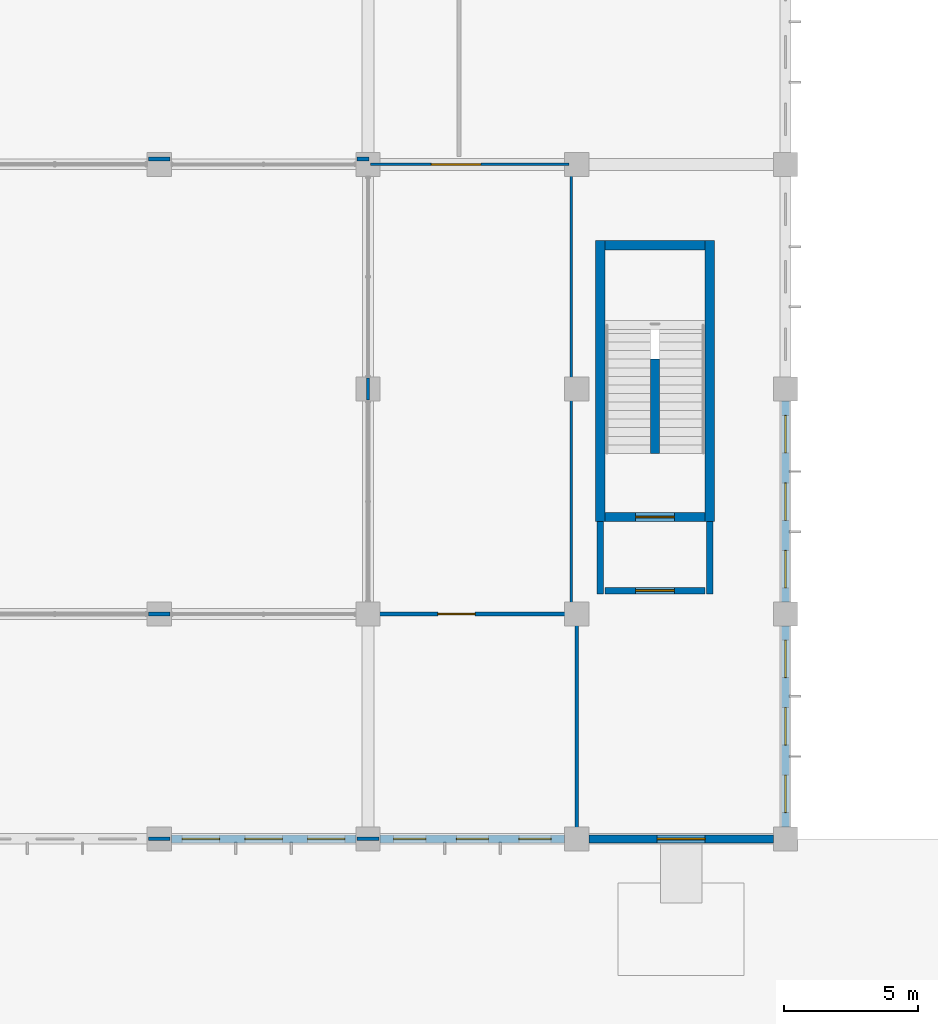
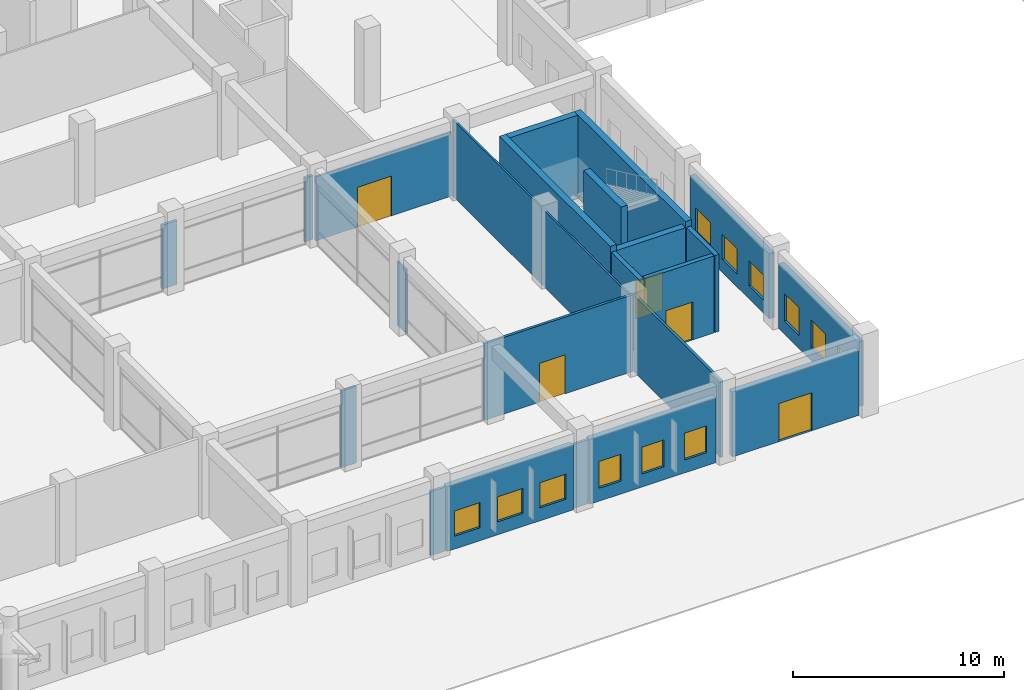
# One storey, part 56 of 74: 23 walls, 12 windows, 5 doors, 17 openings.
"""IFC4 building model written with IfcOpenShell, lengths in metres."""

from ifc_helpers import new_model, si_unit, direction, frame, frame_2d, origin, place, context, subcontext, project, spatial, rectangle, extrude, material, layer, layer_set, type_object, element, fill, save


model = new_model("IFC4")

# Units and contexts
model_context = context("Model", 3, precision=1e-05, world=origin(), true_north=direction((0.0, 1.0)))
body_context = subcontext(model_context, "Body", "Model", "MODEL_VIEW")
ifc_project = project(units=[si_unit("LENGTHUNIT", "METRE"), si_unit("AREAUNIT", "SQUARE_METRE"), si_unit("VOLUMEUNIT", "CUBIC_METRE"), si_unit("PLANEANGLEUNIT", "RADIAN"), si_unit("MASSUNIT", "GRAM", prefix="KILO"), si_unit("THERMODYNAMICTEMPERATUREUNIT", "KELVIN"), si_unit("POWERUNIT", "WATT")], contexts=[model_context])

# Site, building, storey
site_placement = place(None, origin())
site = spatial("IfcSite", under=ifc_project, at=site_placement, CompositionType="ELEMENT")
building_placement = place(site_placement, origin())
building = spatial("IfcBuilding", under=site, at=building_placement, Name="Srebrne Nadtorze General Hospital", CompositionType="ELEMENT")
storey_placement = place(building_placement, origin())
storey = spatial("IfcBuildingStorey", under=building, at=storey_placement, Name="L00", CompositionType="ELEMENT", Elevation=0.0)

# Wall
ifc_material_1 = material(Name="Gypsum Healthcare Partition")
ifc_layer_1 = layer(ifc_material_1, 0.139892578125)
ifc_layer_set_1 = layer_set([ifc_layer_1], Name="Gypsum Healthcare Partition")
wall_type_1 = type_object("IfcWallType", Name="Clinical partition 140", PredefinedType="PARTITIONING", material=ifc_layer_set_1)
wall_1_placement = place(storey_placement, frame((124.389892578125, 8.39990234375, 0.0), z_axis=(0.0, 0.0, 1.0), x_axis=(1.0, 0.0, 0.0)))
element("IfcWall", 1, at=wall_1_placement, inside=storey, type_object=wall_type_1, Name="Outpatient Internal Medicine Clinic wall WL-INT-L00-1363", PredefinedType="PARTITIONING", context=body_context, shape_type="SweptSolid", body=[
    extrude(rectangle(XDim=0.820068359375, YDim=0.139892578125, at=frame_2d((0.41015625, 0.0))), origin(), (0.0, 0.0, 1.0), 4.429931640625),
])

# Wall, opening, door
wall_2_placement = place(storey_placement, frame((132.18994140625, 8.39990234375, 0.0), z_axis=(0.0, 0.0, 1.0), x_axis=(1.0, 0.0, 0.0)))
wall_2 = element("IfcWall", 2, at=wall_2_placement, inside=storey, type_object=wall_type_1, Name="Outpatient Internal Medicine Clinic wall WL-INT-L00-1364", PredefinedType="PARTITIONING", context=body_context, shape_type="SweptSolid", body=[
    extrude(rectangle(XDim=8.125, YDim=0.139892578125, at=frame_2d((4.0625, 0.0))), origin(), (0.0, 0.0, 1.0), 4.429931640625),
])
opening_1_placement = place(wall_2_placement, frame((3.0166015625, 0.0, 0.0)))
opening_1 = element("IfcOpeningElement", 3, at=opening_1_placement, cuts=wall_2, Name="Opening D-L00-0206", PredefinedType="OPENING", context=body_context, shape_type="SweptSolid", body=[
    extrude(rectangle(XDim=1.39990234375, YDim=2.25, at=frame_2d((0.699951171875, 1.125))), frame((0.0, 0.08203125, 0.0), z_axis=(0.0, -1.0, 0.0), x_axis=(1.0, 0.0, 0.0)), (0.0, 0.0, 1.0), 0.163818359375),
])
ifc_material_2 = material(Name="Anodised Aluminium", Category="aluminium")
door_type_1 = type_object("IfcDoorType", Name="Single leaf door 1400x2250", OperationType="NOTDEFINED", PredefinedType="DOOR", material=ifc_material_2)
door_1_placement = place(opening_1_placement, frame((1.39990234375, 0.0, 0.0), z_axis=(0.0, 0.0, 1.0), x_axis=(-1.0, 0.0, 0.0)))
door_1 = element("IfcDoor", 4, at=door_1_placement, inside=storey, type_object=door_type_1, Name="Outpatient Internal Medicine Clinic door D-L00-0206", OperationType="SINGLE_SWING_LEFT", OverallHeight=2.25, OverallWidth=1.39990234375, PredefinedType="DOOR", context=body_context, shape_type="SweptSolid", body=[
    extrude(rectangle(XDim=1.39990234375, YDim=2.25, at=frame_2d((0.699951171875, 1.125))), frame((0.0, 0.02490234375, 0.0), z_axis=(0.0, -1.0, 0.0), x_axis=(1.0, 0.0, 0.0)), (0.0, 0.0, 1.0), 0.050048828125),
])
fill(opening_1, door_1)

# Walls
for number, where, z_axis, x_axis, name in (
    (5, (124.389892578125, 0.0, 0.0), (0.0, 0.0, 1.0), (1.0, 0.0, 0.0), "Outpatient Internal Medicine Clinic wall WL-INT-L00-1365"),
    (6, (132.18994140625, 0.0, 0.0), (0.0, 0.0, 1.0), (1.0, 0.0, 0.0), "Outpatient Internal Medicine Clinic wall WL-INT-L00-1366"),
):
    element("IfcWall", number, at=place(storey_placement, frame(where, z_axis=z_axis, x_axis=x_axis)), inside=storey, type_object=wall_type_1, Name=name, PredefinedType="PARTITIONING", context=body_context, shape_type="SweptSolid", body=[
        extrude(rectangle(XDim=0.820068359375, YDim=0.139892578125, at=frame_2d((0.41015625, 0.0))), origin(), (0.0, 0.0, 1.0), 3.699951171875),
    ])
wall_3_placement = place(storey_placement, frame((140.39990234375, 0.0849609375, 0.0), z_axis=(0.0, 0.0, 1.0), x_axis=(0.0, 1.0, 0.0)))
element("IfcWall", 7, at=wall_3_placement, inside=storey, type_object=wall_type_1, Name="Outpatient Internal Medicine Clinic wall WL-INT-L00-1367", PredefinedType="PARTITIONING", context=body_context, shape_type="SweptSolid", body=[
    extrude(rectangle(XDim=8.22998046875, YDim=0.139892578125, at=frame_2d((4.114990234375, 0.0))), origin(), (0.0, 0.0, 1.0), 4.429931640625),
])
wall_4_placement = place(storey_placement, frame((124.389892578125, 25.39990234375, 0.0), z_axis=(0.0, 0.0, 1.0), x_axis=(1.0, 0.0, 0.0)))
element("IfcWall", 8, at=wall_4_placement, inside=storey, type_object=wall_type_1, Name="Outpatient Pre-Admission Assessment Clinic wall WL-INT-L00-1386", PredefinedType="PARTITIONING", context=body_context, shape_type="SweptSolid", body=[
    extrude(rectangle(XDim=0.820068359375, YDim=0.139892578125, at=frame_2d((0.41015625, 0.0))), origin(), (0.0, 0.0, 1.0), 3.699951171875),
])
wall_5_placement = place(storey_placement, frame((132.18994140625, 25.39990234375, 0.0), z_axis=(0.0, 0.0, 1.0), x_axis=(1.0, 0.0, 0.0)))
element("IfcWall", 9, at=wall_5_placement, inside=storey, type_object=wall_type_1, Name="Outpatient Pre-Admission Assessment Clinic wall WL-INT-L00-1387", PredefinedType="PARTITIONING", context=body_context, shape_type="SweptSolid", body=[
    extrude(rectangle(XDim=0.455078125, YDim=0.139892578125, at=frame_2d((0.2275390625, 0.0))), origin(), (0.0, 0.0, 1.0), 3.699951171875),
])
ifc_material_3 = material(Name="Gypsum Healthcare Partition")
ifc_layer_2 = layer(ifc_material_3, 0.239990234375)
ifc_layer_set_2 = layer_set([ifc_layer_2], Name="Gypsum Healthcare Partition")
wall_type_2 = type_object("IfcWallType", Name="Corridor fire wall 240", PredefinedType="STANDARD", material=ifc_layer_set_2)
for number, where, z_axis, x_axis, name in (
    (10, (141.27490234375, 9.155029296875, 0.0), (0.0, 0.0, 1.0), (0.0, 1.0, 0.0), "Fire lobby wall ST-08 WL-INT-L00-0125"),
    (11, (145.375, 9.155029296875, 0.0), (0.0, 0.0, 1.0), (0.0, 1.0, 0.0), "Fire lobby wall ST-08 WL-INT-L00-0126"),
):
    element("IfcWall", number, at=place(storey_placement, frame(where, z_axis=z_axis, x_axis=x_axis)), inside=storey, type_object=wall_type_2, Name=name, PredefinedType="STANDARD", context=body_context, shape_type="SweptSolid", body=[
        extrude(rectangle(XDim=2.695068359375, YDim=0.239990234375, at=frame_2d((1.34765625, 0.0))), origin(), (0.0, 0.0, 1.0), 4.449951171875),
    ])

# Wall, opening, door
wall_6_placement = place(storey_placement, frame((141.449951171875, 9.27490234375, 0.0), z_axis=(0.0, 0.0, 1.0), x_axis=(1.0, 0.0, 0.0)))
wall_6 = element("IfcWall", 12, at=wall_6_placement, inside=storey, type_object=wall_type_2, Name="Fire lobby entry wall ST-08 WL-INT-L00-0127", PredefinedType="STANDARD", context=body_context, shape_type="SweptSolid", body=[
    extrude(rectangle(XDim=3.75, YDim=0.239990234375, at=frame_2d((1.875, 0.0))), origin(), (0.0, 0.0, 1.0), 4.449951171875),
])
opening_2_placement = place(wall_6_placement, frame((1.14990234375, 0.0, 0.0)))
opening_2 = element("IfcOpeningElement", 13, at=opening_2_placement, cuts=wall_6, Name="Opening D-L00-0032", PredefinedType="OPENING", context=body_context, shape_type="SweptSolid", body=[
    extrude(rectangle(XDim=1.449951171875, YDim=2.199951171875, at=frame_2d((0.72509765625, 1.10009765625))), frame((0.0, 0.1318359375, 0.0), z_axis=(0.0, -1.0, 0.0), x_axis=(1.0, 0.0, 0.0)), (0.0, 0.0, 1.0), 0.263916015625),
])
ifc_material_4 = material(Name="Anodised Aluminium", Category="aluminium")
door_type_2 = type_object("IfcDoorType", Name="Double leaf door 1450x2200", OperationType="DOUBLE_DOOR_SINGLE_SWING", PredefinedType="DOOR", material=ifc_material_4)
door_2_placement = place(opening_2_placement, frame((1.449951171875, 0.0, 0.0), z_axis=(0.0, 0.0, 1.0), x_axis=(-1.0, 0.0, 0.0)))
door_2 = element("IfcDoor", 14, at=door_2_placement, inside=storey, type_object=door_type_2, Name="Fire lobby door ST-08 D-L00-0032", OperationType="DOUBLE_DOOR_SINGLE_SWING", OverallHeight=2.199951171875, OverallWidth=1.449951171875, PredefinedType="DOOR", context=body_context, shape_type="SweptSolid", body=[
    extrude(rectangle(XDim=1.449951171875, YDim=2.199951171875, at=frame_2d((0.72509765625, 1.10009765625))), frame((0.0, 0.02490234375, 0.0), z_axis=(0.0, -1.0, 0.0), x_axis=(1.0, 0.0, 0.0)), (0.0, 0.0, 1.0), 0.050048828125),
])
fill(opening_2, door_2)

# Wall, openings, windows
ifc_material_5 = material(Name="Concrete C40/50 precast", Category="concrete")
ifc_layer_3 = layer(ifc_material_5, 0.300048828125)
ifc_layer_set_3 = layer_set([ifc_layer_3], Name="Concrete C40/50 precast")
wall_type_3 = type_object("IfcWallType", Name="Limestone precast wall 300", PredefinedType="STANDARD", material=ifc_layer_set_3)
wall_7_placement = place(storey_placement, frame((125.25, 0.0, 0.0), z_axis=(0.0, 0.0, 1.0), x_axis=(1.0, 0.0, 0.0)))
wall_7 = element("IfcWall", 15, at=wall_7_placement, inside=storey, type_object=wall_type_3, Name="Exterior wall WL-ENV-L00-0088", PredefinedType="STANDARD", context=body_context, shape_type="SweptSolid", body=[
    extrude(rectangle(XDim=6.89990234375, YDim=0.300048828125, at=frame_2d((3.449951171875, 0.0))), origin(), (0.0, 0.0, 1.0), 3.75),
])
opening_3_placement = place(wall_7_placement, frame((0.409912109375, 0.0, 0.75)))
opening_3 = element("IfcOpeningElement", 16, at=opening_3_placement, cuts=wall_7, Name="Opening WN-L00-0024", PredefinedType="OPENING", context=body_context, shape_type="SweptSolid", body=[
    extrude(rectangle(XDim=1.39990234375, YDim=1.449951171875, at=frame_2d((0.699951171875, 0.72509765625))), frame((0.0, 0.162109375, 0.0), z_axis=(0.0, -1.0, 0.0), x_axis=(1.0, 0.0, 0.0)), (0.0, 0.0, 1.0), 0.323974609375),
])
opening_4_placement = place(wall_7_placement, frame((2.75, 0.0, 0.75)))
opening_4 = element("IfcOpeningElement", 17, at=opening_4_placement, cuts=wall_7, Name="Opening WN-L00-0025", PredefinedType="OPENING", context=body_context, shape_type="SweptSolid", body=[
    extrude(rectangle(XDim=1.39990234375, YDim=1.449951171875, at=frame_2d((0.699951171875, 0.72509765625))), frame((0.0, 0.162109375, 0.0), z_axis=(0.0, -1.0, 0.0), x_axis=(1.0, 0.0, 0.0)), (0.0, 0.0, 1.0), 0.323974609375),
])
opening_5_placement = place(wall_7_placement, frame((5.090087890625, 0.0, 0.75)))
opening_5 = element("IfcOpeningElement", 18, at=opening_5_placement, cuts=wall_7, Name="Opening WN-L00-0026", PredefinedType="OPENING", context=body_context, shape_type="SweptSolid", body=[
    extrude(rectangle(XDim=1.39990234375, YDim=1.449951171875, at=frame_2d((0.699951171875, 0.72509765625))), frame((0.0, 0.162109375, 0.0), z_axis=(0.0, -1.0, 0.0), x_axis=(1.0, 0.0, 0.0)), (0.0, 0.0, 1.0), 0.323974609375),
])
ifc_material_6 = material(Name="Triple Low-E Glazing", Category="glass")
window_type_1 = type_object("IfcWindowType", Name="Punched clinical window 1400x1450", PartitioningType="SINGLE_PANEL", PredefinedType="WINDOW", material=ifc_material_6)
window_1_placement = place(opening_3_placement, origin())
window_1 = element("IfcWindow", 19, at=window_1_placement, inside=storey, type_object=window_type_1, Name="Clinical window WN-L00-0024", OverallHeight=1.449951171875, OverallWidth=1.39990234375, PartitioningType="SINGLE_PANEL", PredefinedType="WINDOW", context=body_context, shape_type="SweptSolid", body=[
    extrude(rectangle(XDim=1.39990234375, YDim=1.449951171875, at=frame_2d((0.699951171875, 0.72509765625))), frame((0.0, 0.030029296875, 0.0), z_axis=(0.0, -1.0, 0.0), x_axis=(1.0, 0.0, 0.0)), (0.0, 0.0, 1.0), 0.06005859375),
])
fill(opening_3, window_1)
window_2_placement = place(opening_4_placement, origin())
window_2 = element("IfcWindow", 20, at=window_2_placement, inside=storey, type_object=window_type_1, Name="Clinical window WN-L00-0025", OverallHeight=1.449951171875, OverallWidth=1.39990234375, PartitioningType="SINGLE_PANEL", PredefinedType="WINDOW", context=body_context, shape_type="SweptSolid", body=[
    extrude(rectangle(XDim=1.39990234375, YDim=1.449951171875, at=frame_2d((0.699951171875, 0.72509765625))), frame((0.0, 0.030029296875, 0.0), z_axis=(0.0, -1.0, 0.0), x_axis=(1.0, 0.0, 0.0)), (0.0, 0.0, 1.0), 0.06005859375),
])
fill(opening_4, window_2)
window_3_placement = place(opening_5_placement, origin())
window_3 = element("IfcWindow", 21, at=window_3_placement, inside=storey, type_object=window_type_1, Name="Clinical window WN-L00-0026", OverallHeight=1.449951171875, OverallWidth=1.39990234375, PartitioningType="SINGLE_PANEL", PredefinedType="WINDOW", context=body_context, shape_type="SweptSolid", body=[
    extrude(rectangle(XDim=1.39990234375, YDim=1.449951171875, at=frame_2d((0.699951171875, 0.72509765625))), frame((0.0, 0.030029296875, 0.0), z_axis=(0.0, -1.0, 0.0), x_axis=(1.0, 0.0, 0.0)), (0.0, 0.0, 1.0), 0.06005859375),
])
fill(opening_5, window_3)

wall_8_placement = place(storey_placement, frame((133.050048828125, 0.0, 0.0), z_axis=(0.0, 0.0, 1.0), x_axis=(1.0, 0.0, 0.0)))
wall_8 = element("IfcWall", 22, at=wall_8_placement, inside=storey, type_object=wall_type_3, Name="Exterior wall WL-ENV-L00-0089", PredefinedType="STANDARD", context=body_context, shape_type="SweptSolid", body=[
    extrude(rectangle(XDim=6.89990234375, YDim=0.300048828125, at=frame_2d((3.449951171875, 0.0))), origin(), (0.0, 0.0, 1.0), 3.75),
])
opening_6_placement = place(wall_8_placement, frame((0.510009765625, 0.0, 0.75)))
opening_6 = element("IfcOpeningElement", 23, at=opening_6_placement, cuts=wall_8, Name="Opening WN-L00-0027", PredefinedType="OPENING", context=body_context, shape_type="SweptSolid", body=[
    extrude(rectangle(XDim=1.199951171875, YDim=1.550048828125, at=frame_2d((0.60009765625, 0.77490234375))), frame((0.0, 0.162109375, 0.0), z_axis=(0.0, -1.0, 0.0), x_axis=(1.0, 0.0, 0.0)), (0.0, 0.0, 1.0), 0.323974609375),
])
opening_7_placement = place(wall_8_placement, frame((2.85009765625, 0.0, 0.75)))
opening_7 = element("IfcOpeningElement", 24, at=opening_7_placement, cuts=wall_8, Name="Opening WN-L00-0028", PredefinedType="OPENING", context=body_context, shape_type="SweptSolid", body=[
    extrude(rectangle(XDim=1.199951171875, YDim=1.550048828125, at=frame_2d((0.60009765625, 0.77490234375))), frame((0.0, 0.162109375, 0.0), z_axis=(0.0, -1.0, 0.0), x_axis=(1.0, 0.0, 0.0)), (0.0, 0.0, 1.0), 0.323974609375),
])
opening_8_placement = place(wall_8_placement, frame((5.18994140625, 0.0, 0.75)))
opening_8 = element("IfcOpeningElement", 25, at=opening_8_placement, cuts=wall_8, Name="Opening WN-L00-0029", PredefinedType="OPENING", context=body_context, shape_type="SweptSolid", body=[
    extrude(rectangle(XDim=1.199951171875, YDim=1.550048828125, at=frame_2d((0.60009765625, 0.77490234375))), frame((0.0, 0.162109375, 0.0), z_axis=(0.0, -1.0, 0.0), x_axis=(1.0, 0.0, 0.0)), (0.0, 0.0, 1.0), 0.323974609375),
])
ifc_material_7 = material(Name="Triple Low-E Glazing", Category="glass")
window_type_2 = type_object("IfcWindowType", Name="Punched clinical window 1200x1550", PartitioningType="SINGLE_PANEL", PredefinedType="WINDOW", material=ifc_material_7)
window_4_placement = place(opening_6_placement, origin())
window_4 = element("IfcWindow", 26, at=window_4_placement, inside=storey, type_object=window_type_2, Name="Clinical window WN-L00-0027", OverallHeight=1.550048828125, OverallWidth=1.199951171875, PartitioningType="SINGLE_PANEL", PredefinedType="WINDOW", context=body_context, shape_type="SweptSolid", body=[
    extrude(rectangle(XDim=1.199951171875, YDim=1.550048828125, at=frame_2d((0.60009765625, 0.77490234375))), frame((0.0, 0.030029296875, 0.0), z_axis=(0.0, -1.0, 0.0), x_axis=(1.0, 0.0, 0.0)), (0.0, 0.0, 1.0), 0.06005859375),
])
fill(opening_6, window_4)
window_5_placement = place(opening_7_placement, origin())
window_5 = element("IfcWindow", 27, at=window_5_placement, inside=storey, type_object=window_type_2, Name="Clinical window WN-L00-0028", OverallHeight=1.550048828125, OverallWidth=1.199951171875, PartitioningType="SINGLE_PANEL", PredefinedType="WINDOW", context=body_context, shape_type="SweptSolid", body=[
    extrude(rectangle(XDim=1.199951171875, YDim=1.550048828125, at=frame_2d((0.60009765625, 0.77490234375))), frame((0.0, 0.030029296875, 0.0), z_axis=(0.0, -1.0, 0.0), x_axis=(1.0, 0.0, 0.0)), (0.0, 0.0, 1.0), 0.06005859375),
])
fill(opening_7, window_5)
window_6_placement = place(opening_8_placement, origin())
window_6 = element("IfcWindow", 28, at=window_6_placement, inside=storey, type_object=window_type_2, Name="Clinical window WN-L00-0029", OverallHeight=1.550048828125, OverallWidth=1.199951171875, PartitioningType="SINGLE_PANEL", PredefinedType="WINDOW", context=body_context, shape_type="SweptSolid", body=[
    extrude(rectangle(XDim=1.199951171875, YDim=1.550048828125, at=frame_2d((0.60009765625, 0.77490234375))), frame((0.0, 0.030029296875, 0.0), z_axis=(0.0, -1.0, 0.0), x_axis=(1.0, 0.0, 0.0)), (0.0, 0.0, 1.0), 0.06005859375),
])
fill(opening_8, window_6)

# Wall, opening, door
wall_9_placement = place(storey_placement, frame((140.85009765625, 0.0, 0.0), z_axis=(0.0, 0.0, 1.0), x_axis=(1.0, 0.0, 0.0)))
wall_9 = element("IfcWall", 29, at=wall_9_placement, inside=storey, type_object=wall_type_3, Name="Exterior wall WL-ENV-L00-0090", PredefinedType="STANDARD", context=body_context, shape_type="SweptSolid", body=[
    extrude(rectangle(XDim=6.89990234375, YDim=0.300048828125, at=frame_2d((3.449951171875, 0.0))), origin(), (0.0, 0.0, 1.0), 3.75),
])
opening_9_placement = place(wall_9_placement, frame((2.550048828125, 0.0, 0.0)))
opening_9 = element("IfcOpeningElement", 30, at=opening_9_placement, cuts=wall_9, Name="Opening D-L00-E006", PredefinedType="OPENING", context=body_context, shape_type="SweptSolid", body=[
    extrude(rectangle(XDim=1.800048828125, YDim=2.199951171875, at=frame_2d((0.89990234375, 1.10009765625))), frame((0.0, 0.162109375, 0.0), z_axis=(0.0, -1.0, 0.0), x_axis=(1.0, 0.0, 0.0)), (0.0, 0.0, 1.0), 0.323974609375),
])
ifc_material_8 = material(Name="Anodised Aluminium", Category="aluminium")
door_type_3 = type_object("IfcDoorType", Name="Double leaf door 1800x2200", OperationType="DOUBLE_DOOR_SINGLE_SWING", PredefinedType="DOOR", material=ifc_material_8)
door_3_placement = place(opening_9_placement, frame((1.800048828125, 0.0, 0.0), z_axis=(0.0, 0.0, 1.0), x_axis=(-1.0, 0.0, 0.0)))
door_3 = element("IfcDoor", 31, at=door_3_placement, inside=storey, type_object=door_type_3, Name="Exterior door D-L00-E006", OperationType="DOUBLE_DOOR_SINGLE_SWING", OverallHeight=2.199951171875, OverallWidth=1.800048828125, PredefinedType="DOOR", context=body_context, shape_type="SweptSolid", body=[
    extrude(rectangle(XDim=1.800048828125, YDim=2.199951171875, at=frame_2d((0.89990234375, 1.10009765625))), frame((0.0, 0.02490234375, 0.0), z_axis=(0.0, -1.0, 0.0), x_axis=(1.0, 0.0, 0.0)), (0.0, 0.0, 1.0), 0.050048828125),
])
fill(opening_9, door_3)

# Wall, openings, windows
wall_10_placement = place(storey_placement, frame((148.199951171875, 0.449951171875, 0.0), z_axis=(0.0, 0.0, 1.0), x_axis=(0.0, 1.0, 0.0)))
wall_10 = element("IfcWall", 32, at=wall_10_placement, inside=storey, type_object=wall_type_3, Name="Exterior wall WL-ENV-L00-0138", PredefinedType="STANDARD", context=body_context, shape_type="SweptSolid", body=[
    extrude(rectangle(XDim=7.5, YDim=0.300048828125, at=frame_2d((3.75, 0.0))), origin(), (0.0, 0.0, 1.0), 3.75),
])
opening_10_placement = place(wall_10_placement, frame((0.530029296875, 0.0, 0.75)))
opening_10 = element("IfcOpeningElement", 33, at=opening_10_placement, cuts=wall_10, Name="Opening WN-L00-0096", PredefinedType="OPENING", context=body_context, shape_type="SweptSolid", body=[
    extrude(rectangle(XDim=1.39990234375, YDim=1.60009765625, at=frame_2d((0.699951171875, 0.800048828125))), frame((0.0, 0.162109375, 0.0), z_axis=(0.0, -1.0, 0.0), x_axis=(1.0, 0.0, 0.0)), (0.0, 0.0, 1.0), 0.323974609375),
])
opening_11_placement = place(wall_10_placement, frame((3.050048828125, 0.0, 0.75)))
opening_11 = element("IfcOpeningElement", 34, at=opening_11_placement, cuts=wall_10, Name="Opening WN-L00-0097", PredefinedType="OPENING", context=body_context, shape_type="SweptSolid", body=[
    extrude(rectangle(XDim=1.39990234375, YDim=1.60009765625, at=frame_2d((0.699951171875, 0.800048828125))), frame((0.0, 0.162109375, 0.0), z_axis=(0.0, -1.0, 0.0), x_axis=(1.0, 0.0, 0.0)), (0.0, 0.0, 1.0), 0.323974609375),
])
opening_12_placement = place(wall_10_placement, frame((5.570068359375, 0.0, 0.75)))
opening_12 = element("IfcOpeningElement", 35, at=opening_12_placement, cuts=wall_10, Name="Opening WN-L00-0098", PredefinedType="OPENING", context=body_context, shape_type="SweptSolid", body=[
    extrude(rectangle(XDim=1.39990234375, YDim=1.60009765625, at=frame_2d((0.699951171875, 0.800048828125))), frame((0.0, 0.162109375, 0.0), z_axis=(0.0, -1.0, 0.0), x_axis=(1.0, 0.0, 0.0)), (0.0, 0.0, 1.0), 0.323974609375),
])
ifc_material_9 = material(Name="Triple Low-E Glazing", Category="glass")
window_type_3 = type_object("IfcWindowType", Name="Punched clinical window 1400x1600", PartitioningType="SINGLE_PANEL", PredefinedType="WINDOW", material=ifc_material_9)
window_7_placement = place(opening_10_placement, origin())
window_7 = element("IfcWindow", 36, at=window_7_placement, inside=storey, type_object=window_type_3, Name="Clinical window WN-L00-0096", OverallHeight=1.60009765625, OverallWidth=1.39990234375, PartitioningType="SINGLE_PANEL", PredefinedType="WINDOW", context=body_context, shape_type="SweptSolid", body=[
    extrude(rectangle(XDim=1.39990234375, YDim=1.60009765625, at=frame_2d((0.699951171875, 0.800048828125))), frame((0.0, 0.030029296875, 0.0), z_axis=(0.0, -1.0, 0.0), x_axis=(1.0, 0.0, 0.0)), (0.0, 0.0, 1.0), 0.06005859375),
])
fill(opening_10, window_7)
window_8_placement = place(opening_11_placement, origin())
window_8 = element("IfcWindow", 37, at=window_8_placement, inside=storey, type_object=window_type_3, Name="Clinical window WN-L00-0097", OverallHeight=1.60009765625, OverallWidth=1.39990234375, PartitioningType="SINGLE_PANEL", PredefinedType="WINDOW", context=body_context, shape_type="SweptSolid", body=[
    extrude(rectangle(XDim=1.39990234375, YDim=1.60009765625, at=frame_2d((0.699951171875, 0.800048828125))), frame((0.0, 0.030029296875, 0.0), z_axis=(0.0, -1.0, 0.0), x_axis=(1.0, 0.0, 0.0)), (0.0, 0.0, 1.0), 0.06005859375),
])
fill(opening_11, window_8)
window_9_placement = place(opening_12_placement, origin())
window_9 = element("IfcWindow", 38, at=window_9_placement, inside=storey, type_object=window_type_3, Name="Clinical window WN-L00-0098", OverallHeight=1.60009765625, OverallWidth=1.39990234375, PartitioningType="SINGLE_PANEL", PredefinedType="WINDOW", context=body_context, shape_type="SweptSolid", body=[
    extrude(rectangle(XDim=1.39990234375, YDim=1.60009765625, at=frame_2d((0.699951171875, 0.800048828125))), frame((0.0, 0.030029296875, 0.0), z_axis=(0.0, -1.0, 0.0), x_axis=(1.0, 0.0, 0.0)), (0.0, 0.0, 1.0), 0.06005859375),
])
fill(opening_12, window_9)

wall_11_placement = place(storey_placement, frame((148.199951171875, 8.85009765625, 0.0), z_axis=(0.0, 0.0, 1.0), x_axis=(0.0, 1.0, 0.0)))
wall_11 = element("IfcWall", 39, at=wall_11_placement, inside=storey, type_object=wall_type_3, Name="Exterior wall WL-ENV-L00-0139", PredefinedType="STANDARD", context=body_context, shape_type="SweptSolid", body=[
    extrude(rectangle(XDim=7.5, YDim=0.300048828125, at=frame_2d((3.75, 0.0))), origin(), (0.0, 0.0, 1.0), 3.75),
])
opening_13_placement = place(wall_11_placement, frame((0.530029296875, 0.0, 0.75)))
opening_13 = element("IfcOpeningElement", 40, at=opening_13_placement, cuts=wall_11, Name="Opening WN-L00-0099", PredefinedType="OPENING", context=body_context, shape_type="SweptSolid", body=[
    extrude(rectangle(XDim=1.39990234375, YDim=1.449951171875, at=frame_2d((0.699951171875, 0.72509765625))), frame((0.0, 0.162109375, 0.0), z_axis=(0.0, -1.0, 0.0), x_axis=(1.0, 0.0, 0.0)), (0.0, 0.0, 1.0), 0.323974609375),
])
opening_14_placement = place(wall_11_placement, frame((3.050048828125, 0.0, 0.75)))
opening_14 = element("IfcOpeningElement", 41, at=opening_14_placement, cuts=wall_11, Name="Opening WN-L00-0100", PredefinedType="OPENING", context=body_context, shape_type="SweptSolid", body=[
    extrude(rectangle(XDim=1.39990234375, YDim=1.449951171875, at=frame_2d((0.699951171875, 0.72509765625))), frame((0.0, 0.162109375, 0.0), z_axis=(0.0, -1.0, 0.0), x_axis=(1.0, 0.0, 0.0)), (0.0, 0.0, 1.0), 0.323974609375),
])
opening_15_placement = place(wall_11_placement, frame((5.570068359375, 0.0, 0.75)))
opening_15 = element("IfcOpeningElement", 42, at=opening_15_placement, cuts=wall_11, Name="Opening WN-L00-0101", PredefinedType="OPENING", context=body_context, shape_type="SweptSolid", body=[
    extrude(rectangle(XDim=1.39990234375, YDim=1.449951171875, at=frame_2d((0.699951171875, 0.72509765625))), frame((0.0, 0.162109375, 0.0), z_axis=(0.0, -1.0, 0.0), x_axis=(1.0, 0.0, 0.0)), (0.0, 0.0, 1.0), 0.323974609375),
])
window_10_placement = place(opening_13_placement, origin())
window_10 = element("IfcWindow", 43, at=window_10_placement, inside=storey, type_object=window_type_1, Name="Clinical window WN-L00-0099", OverallHeight=1.449951171875, OverallWidth=1.39990234375, PartitioningType="SINGLE_PANEL", PredefinedType="WINDOW", context=body_context, shape_type="SweptSolid", body=[
    extrude(rectangle(XDim=1.39990234375, YDim=1.449951171875, at=frame_2d((0.699951171875, 0.72509765625))), frame((0.0, 0.030029296875, 0.0), z_axis=(0.0, -1.0, 0.0), x_axis=(1.0, 0.0, 0.0)), (0.0, 0.0, 1.0), 0.06005859375),
])
fill(opening_13, window_10)
window_11_placement = place(opening_14_placement, origin())
window_11 = element("IfcWindow", 44, at=window_11_placement, inside=storey, type_object=window_type_1, Name="Clinical window WN-L00-0100", OverallHeight=1.449951171875, OverallWidth=1.39990234375, PartitioningType="SINGLE_PANEL", PredefinedType="WINDOW", context=body_context, shape_type="SweptSolid", body=[
    extrude(rectangle(XDim=1.39990234375, YDim=1.449951171875, at=frame_2d((0.699951171875, 0.72509765625))), frame((0.0, 0.030029296875, 0.0), z_axis=(0.0, -1.0, 0.0), x_axis=(1.0, 0.0, 0.0)), (0.0, 0.0, 1.0), 0.06005859375),
])
fill(opening_14, window_11)
window_12_placement = place(opening_15_placement, origin())
window_12 = element("IfcWindow", 45, at=window_12_placement, inside=storey, type_object=window_type_1, Name="Clinical window WN-L00-0101", OverallHeight=1.449951171875, OverallWidth=1.39990234375, PartitioningType="SINGLE_PANEL", PredefinedType="WINDOW", context=body_context, shape_type="SweptSolid", body=[
    extrude(rectangle(XDim=1.39990234375, YDim=1.449951171875, at=frame_2d((0.699951171875, 0.72509765625))), frame((0.0, 0.030029296875, 0.0), z_axis=(0.0, -1.0, 0.0), x_axis=(1.0, 0.0, 0.0)), (0.0, 0.0, 1.0), 0.06005859375),
])
fill(opening_15, window_12)

# Wall, opening, door
ifc_material_10 = material(Name="Gypsum Healthcare Partition")
ifc_layer_4 = layer(ifc_material_10, 0.10009765625)
ifc_layer_set_4 = layer_set([ifc_layer_4], Name="Gypsum Healthcare Partition")
wall_type_4 = type_object("IfcWallType", Name="Shaft lining wall 100", PredefinedType="PARTITIONING", material=ifc_layer_set_4)
wall_12_placement = place(storey_placement, frame((132.68505859375, 25.199951171875, 0.0), z_axis=(0.0, 0.0, 1.0), x_axis=(1.0, 0.0, 0.0)))
wall_12 = element("IfcWall", 46, at=wall_12_placement, inside=storey, type_object=wall_type_4, Name="Outpatient Waiting Gallery wall WL-INT-L00-1368", PredefinedType="PARTITIONING", context=body_context, shape_type="SweptSolid", body=[
    extrude(rectangle(XDim=7.429931640625, YDim=0.10009765625, at=frame_2d((3.71484375, 0.0))), origin(), (0.0, 0.0, 1.0), 3.699951171875),
])
opening_16_placement = place(wall_12_placement, frame((2.281982421875, 0.0, 0.0)))
opening_16 = element("IfcOpeningElement", 47, at=opening_16_placement, cuts=wall_12, Name="Opening D-L00-0207", PredefinedType="OPENING", context=body_context, shape_type="SweptSolid", body=[
    extrude(rectangle(XDim=1.85009765625, YDim=2.300048828125, at=frame_2d((0.925048828125, 1.14990234375))), frame((0.0, 0.06201171875, 0.0), z_axis=(0.0, -1.0, 0.0), x_axis=(1.0, 0.0, 0.0)), (0.0, 0.0, 1.0), 0.1240234375),
])
ifc_material_11 = material(Name="Anodised Aluminium", Category="aluminium")
door_type_4 = type_object("IfcDoorType", Name="Double leaf door 1850x2300", OperationType="DOUBLE_DOOR_SINGLE_SWING", PredefinedType="DOOR", material=ifc_material_11)
door_4_placement = place(opening_16_placement, frame((1.85009765625, 0.0, 0.0), z_axis=(0.0, 0.0, 1.0), x_axis=(-1.0, 0.0, 0.0)))
door_4 = element("IfcDoor", 48, at=door_4_placement, inside=storey, type_object=door_type_4, Name="Outpatient Waiting Gallery door D-L00-0207", OperationType="DOUBLE_DOOR_SINGLE_SWING", OverallHeight=2.300048828125, OverallWidth=1.85009765625, PredefinedType="DOOR", context=body_context, shape_type="SweptSolid", body=[
    extrude(rectangle(XDim=1.85009765625, YDim=2.300048828125, at=frame_2d((0.925048828125, 1.14990234375))), frame((0.0, 0.02490234375, 0.0), z_axis=(0.0, -1.0, 0.0), x_axis=(1.0, 0.0, 0.0)), (0.0, 0.0, 1.0), 0.050048828125),
])
fill(opening_16, door_4)

# Walls
wall_13_placement = place(storey_placement, frame((132.60009765625, 16.389892578125, 0.0), z_axis=(0.0, 0.0, 1.0), x_axis=(0.0, 1.0, 0.0)))
element("IfcWall", 49, at=wall_13_placement, inside=storey, type_object=wall_type_4, Name="Outpatient Waiting Gallery wall WL-INT-L00-1369", PredefinedType="PARTITIONING", context=body_context, shape_type="SweptSolid", body=[
    extrude(rectangle(XDim=0.820068359375, YDim=0.10009765625, at=frame_2d((0.41015625, 0.0))), origin(), (0.0, 0.0, 1.0), 3.699951171875),
])
wall_14_placement = place(storey_placement, frame((140.199951171875, 8.485107421875, 0.0), z_axis=(0.0, 0.0, 1.0), x_axis=(0.0, 1.0, 0.0)))
element("IfcWall", 50, at=wall_14_placement, inside=storey, type_object=wall_type_4, Name="Outpatient Waiting Gallery wall WL-INT-L00-1370", PredefinedType="PARTITIONING", context=body_context, shape_type="SweptSolid", body=[
    extrude(rectangle(XDim=16.6298828125, YDim=0.10009765625, at=frame_2d((8.31494140625, 0.0))), origin(), (0.0, 0.0, 1.0), 4.429931640625),
])
ifc_material_12 = material(Name="Concrete C40/50", Category="concrete")
ifc_layer_5 = layer(ifc_material_12, 0.35009765625)
ifc_layer_set_5 = layer_set([ifc_layer_5], Name="Concrete C40/50")
wall_type_5 = type_object("IfcWallType", Name="Shear core wall 350", PredefinedType="SHEAR", material=ifc_layer_set_5)
for number, where, z_axis, x_axis, name in (
    (51, (141.27490234375, 11.85009765625, 0.0), (0.0, 0.0, 1.0), (0.0, 1.0, 0.0), "Stair core wall ST-08 WL-INT-L00-0121"),
    (52, (145.375, 11.85009765625, 0.0), (0.0, 0.0, 1.0), (0.0, 1.0, 0.0), "Stair core wall ST-08 WL-INT-L00-0122"),
):
    element("IfcWall", number, at=place(storey_placement, frame(where, z_axis=z_axis, x_axis=x_axis)), inside=storey, type_object=wall_type_5, Name=name, PredefinedType="SHEAR", context=body_context, shape_type="SweptSolid", body=[
        extrude(rectangle(XDim=10.5, YDim=0.35009765625, at=frame_2d((5.25, 0.0))), origin(), (0.0, 0.0, 1.0), 4.800048828125),
    ])
wall_15_placement = place(storey_placement, frame((141.449951171875, 22.175048828125, 0.0), z_axis=(0.0, 0.0, 1.0), x_axis=(1.0, 0.0, 0.0)))
element("IfcWall", 53, at=wall_15_placement, inside=storey, type_object=wall_type_5, Name="Stair core wall ST-08 WL-INT-L00-0123", PredefinedType="SHEAR", context=body_context, shape_type="SweptSolid", body=[
    extrude(rectangle(XDim=3.75, YDim=0.35009765625, at=frame_2d((1.875, 0.0))), origin(), (0.0, 0.0, 1.0), 4.800048828125),
])

# Wall, opening, door
wall_16_placement = place(storey_placement, frame((141.449951171875, 12.02490234375, 0.0), z_axis=(0.0, 0.0, 1.0), x_axis=(1.0, 0.0, 0.0)))
wall_16 = element("IfcWall", 54, at=wall_16_placement, inside=storey, type_object=wall_type_5, Name="Stairwell fire wall ST-08 WL-INT-L00-0124", PredefinedType="SHEAR", context=body_context, shape_type="SweptSolid", body=[
    extrude(rectangle(XDim=3.75, YDim=0.35009765625, at=frame_2d((1.875, 0.0))), origin(), (0.0, 0.0, 1.0), 4.449951171875),
])
opening_17_placement = place(wall_16_placement, frame((1.14990234375, 0.0, 0.0)))
opening_17 = element("IfcOpeningElement", 55, at=opening_17_placement, cuts=wall_16, Name="Opening D-L00-0031", PredefinedType="OPENING", context=body_context, shape_type="SweptSolid", body=[
    extrude(rectangle(XDim=1.449951171875, YDim=2.199951171875, at=frame_2d((0.72509765625, 1.10009765625))), frame((0.0, 0.18701171875, 0.0), z_axis=(0.0, -1.0, 0.0), x_axis=(1.0, 0.0, 0.0)), (0.0, 0.0, 1.0), 0.3740234375),
])
door_5_placement = place(opening_17_placement, frame((1.449951171875, 0.0, 0.0), z_axis=(0.0, 0.0, 1.0), x_axis=(-1.0, 0.0, 0.0)))
door_5 = element("IfcDoor", 56, at=door_5_placement, inside=storey, type_object=door_type_2, Name="Protected stair door ST-08 D-L00-0031", OperationType="DOUBLE_DOOR_SINGLE_SWING", OverallHeight=2.199951171875, OverallWidth=1.449951171875, PredefinedType="DOOR", context=body_context, shape_type="SweptSolid", body=[
    extrude(rectangle(XDim=1.449951171875, YDim=2.199951171875, at=frame_2d((0.72509765625, 1.10009765625))), frame((0.0, 0.02490234375, 0.0), z_axis=(0.0, -1.0, 0.0), x_axis=(1.0, 0.0, 0.0)), (0.0, 0.0, 1.0), 0.050048828125),
])
fill(opening_17, door_5)

# Wall
wall_17_placement = place(storey_placement, frame((143.324951171875, 14.39990234375, 0.0), z_axis=(0.0, 0.0, 1.0), x_axis=(0.0, 1.0, 0.0)))
element("IfcWall", 57, at=wall_17_placement, inside=storey, type_object=wall_type_5, Name="Stair spine wall ST-08 WL-INT-L00-0128", PredefinedType="SHEAR", context=body_context, shape_type="SweptSolid", body=[
    extrude(rectangle(XDim=3.52001953125, YDim=0.35009765625, at=frame_2d((1.760009765625, 0.0))), origin(), (0.0, 0.0, 1.0), 4.800048828125),
])

save(model, "model.ifc")
